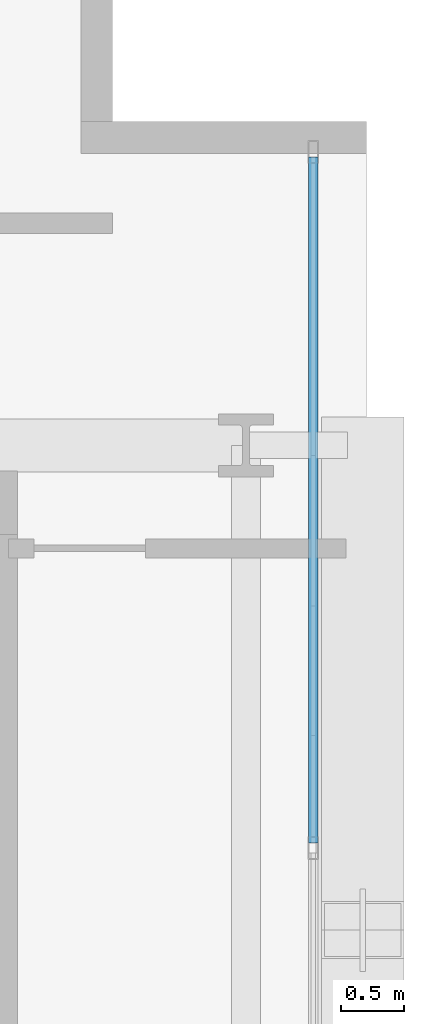
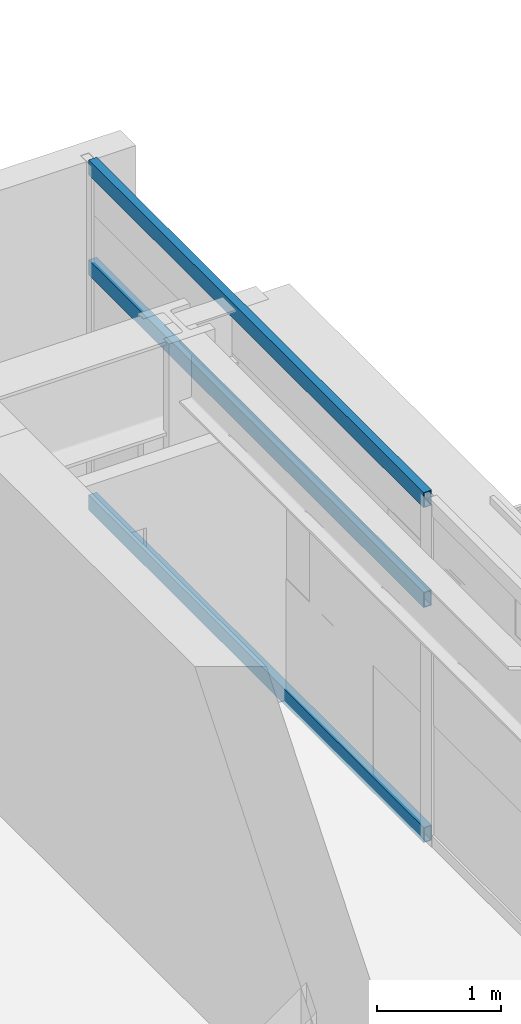
# One storey, part 15 of 31: 3 members, 1 element without a shape of its own.
"""IFC4 building model written with IfcOpenShell, lengths in metres."""

import ifcopenshell
import ifcopenshell.guid

model = None  # the IFC model being written
_history = None  # IfcOwnerHistory: only IFC2X3 demands one
_inside = {}  # id of a spatial element -> (the spatial element, [elements in it])
_under = {}  # id of a project, library or spatial element -> (it, [spatial elements below it])
_declared = {}  # id of a project -> (the project, [libraries it declares])
_typed = {}  # id of a type object -> (the type object, [elements of that type])
_made_of = {}  # id of a material, layer set ... -> (it, [elements and type objects made of it])


def new_model(schema):
    """Start an empty IFC model of exactly this schema.

    Asked for "IFC4X3", IfcOpenShell would pick the latest addendum, in which some entities
    have other attributes; the version numbers below select the first issue.
    IFC2X3 requires an IfcOwnerHistory on every rooted entity: one is made here for all.
    """
    global model, _history
    if schema == "IFC4X3":
        model = ifcopenshell.file(schema_version=(4, 3, 0, 0))
    else:
        model = ifcopenshell.file(schema=schema)
    _inside.clear()
    _under.clear()
    _declared.clear()
    _typed.clear()
    _made_of.clear()
    _history = None
    if model.schema == "IFC2X3":
        org = make("IfcOrganization", Name="unknown")
        user = make(
            "IfcPersonAndOrganization",
            ThePerson=make("IfcPerson", FamilyName="unknown"),
            TheOrganization=org,
        )
        app = make(
            "IfcApplication",
            ApplicationDeveloper=org,
            Version="unknown",
            ApplicationFullName="unknown",
            ApplicationIdentifier="unknown",
        )
        _history = make(
            "IfcOwnerHistory",
            OwningUser=user,
            OwningApplication=app,
            ChangeAction="ADDED",
            CreationDate=0,
        )
    return model


def make(cls, **values):
    """One entity of the class cls with the attributes given. An attribute that is None is left unset."""
    return model.create_entity(
        cls, **{name: value for name, value in values.items() if value is not None}
    )


def rooted(cls, **values):
    """An entity with a GlobalId (a new one), such as an element, a storey or a relation."""
    return make(cls, GlobalId=ifcopenshell.guid.new(), OwnerHistory=_history, **values)


def si_unit(unit_type, name, prefix=None):
    """IfcSIUnit, for example si_unit("LENGTHUNIT", "METRE", prefix="MILLI")."""
    return make("IfcSIUnit", UnitType=unit_type, Prefix=prefix, Name=name)


def assignment(units):
    """IfcUnitAssignment: the units of a project."""
    return None if units is None else make("IfcUnitAssignment", Units=units)


def point(xyz):
    """IfcCartesianPoint."""
    return None if xyz is None else make("IfcCartesianPoint", Coordinates=xyz)


def direction(xyz):
    """IfcDirection."""
    return None if xyz is None else make("IfcDirection", DirectionRatios=xyz)


def frame(location, z_axis=None, x_axis=None):
    """IfcAxis2Placement3D, a coordinate frame: its origin and axes. An axis left out is left unset."""
    return make(
        "IfcAxis2Placement3D",
        Location=point(location),
        Axis=direction(z_axis),
        RefDirection=direction(x_axis),
    )


def frame_2d(location, x_axis=None):
    """IfcAxis2Placement2D, a coordinate frame in the plane: its origin and x axis."""
    return make(
        "IfcAxis2Placement2D", Location=point(location), RefDirection=direction(x_axis)
    )


def origin():
    """The frame at (0, 0, 0) with its axes left unset."""
    return frame((0.0, 0.0, 0.0))


def origin_2d():
    """The frame at (0, 0) in the plane with its x axis left unset."""
    return frame_2d((0.0, 0.0))


def place(relative_to, where):
    """IfcLocalPlacement: puts the frame where relative to a parent placement (None: the world)."""
    return make(
        "IfcLocalPlacement", PlacementRelTo=relative_to, RelativePlacement=where
    )


def context(
    kind, dimensions, precision=None, world=None, true_north=None, identifier=None
):
    """IfcGeometricRepresentationContext, for example the 3D "Model" context."""
    return make(
        "IfcGeometricRepresentationContext",
        ContextIdentifier=identifier,
        ContextType=kind,
        CoordinateSpaceDimension=dimensions,
        Precision=precision,
        WorldCoordinateSystem=world,
        TrueNorth=true_north,
    )


def subcontext(parent, identifier, kind, view, scale=None):
    """IfcGeometricRepresentationSubContext, for example "Body" below "Model"."""
    return make(
        "IfcGeometricRepresentationSubContext",
        ContextIdentifier=identifier,
        ContextType=kind,
        ParentContext=parent,
        TargetScale=scale,
        TargetView=view,
    )


def project(units=None, contexts=None):
    """IfcProject with its units and contexts."""
    return rooted(
        "IfcProject",
        Name="project",
        RepresentationContexts=contexts,
        UnitsInContext=assignment(units),
    )


def spatial(cls, under=None, at=None, **own):
    """A site, building, storey or space (cls), placed at a placement, below another one or the project."""
    s = rooted(cls, ObjectPlacement=at, **own)
    if under is not None:
        _under.setdefault(under.id(), (under, []))[1].append(s)
    return s


def profile(cls, at=None, kind="AREA", **sizes):
    """A parametric profile (cls). Its sizes go by their IFC names, for example OverallWidth=200.0."""
    return make(cls, ProfileType=kind, Position=at, **sizes)


def hollow_rectangle(**sizes):
    """IfcRectangleHollowProfileDef."""
    return profile("IfcRectangleHollowProfileDef", **sizes)


def extrude(swept, where, along, depth):
    """IfcExtrudedAreaSolid: the profile swept, set in the frame where, extruded along a direction by depth."""
    return make(
        "IfcExtrudedAreaSolid",
        SweptArea=swept,
        Position=where,
        ExtrudedDirection=direction(along),
        Depth=depth,
    )


def shape(context_of_items, identifier, shape_type, items):
    """IfcShapeRepresentation: the items that make up one representation, for example the "Body"."""
    return make(
        "IfcShapeRepresentation",
        ContextOfItems=context_of_items,
        RepresentationIdentifier=identifier,
        RepresentationType=shape_type,
        Items=items,
    )


def source(mapping_origin, context_of_items, identifier, shape_type, items):
    """IfcRepresentationMap: a shape defined once, which mapped items show again and again."""
    return make(
        "IfcRepresentationMap",
        MappingOrigin=mapping_origin,
        MappedRepresentation=shape(context_of_items, identifier, shape_type, items),
    )


def transform(
    local_origin,
    x_axis=None,
    y_axis=None,
    z_axis=None,
    scale=None,
    scale2=None,
    scale3=None,
    uniform=True,
):
    """IfcCartesianTransformationOperator3D, or its non-uniform kind. x_axis, y_axis, z_axis: its Axis1, 2, 3."""
    if uniform:
        return make(
            "IfcCartesianTransformationOperator3D",
            Axis1=direction(x_axis),
            Axis2=direction(y_axis),
            LocalOrigin=point(local_origin),
            Scale=scale,
            Axis3=direction(z_axis),
        )
    return make(
        "IfcCartesianTransformationOperator3DnonUniform",
        Axis1=direction(x_axis),
        Axis2=direction(y_axis),
        LocalOrigin=point(local_origin),
        Scale=scale,
        Axis3=direction(z_axis),
        Scale2=scale2,
        Scale3=scale3,
    )


def mapped(mapping_source, mapping_target):
    """IfcMappedItem: shows the shape of a source again, moved by a transform."""
    return make(
        "IfcMappedItem", MappingSource=mapping_source, MappingTarget=mapping_target
    )


def material(Name=None, Category=None):
    """IfcMaterial."""
    return make("IfcMaterial", Name=Name, Category=Category)


def layer(
    of_material, thickness, ventilated=None, Name=None, Category=None, Priority=None
):
    """IfcMaterialLayer: one layer of a wall or slab, of a material (None: an air gap)."""
    return make(
        "IfcMaterialLayer",
        Material=of_material,
        LayerThickness=thickness,
        IsVentilated=ventilated,
        Name=Name,
        Category=Category,
        Priority=Priority,
    )


def layer_set(layers, Name=None):
    """IfcMaterialLayerSet."""
    return make("IfcMaterialLayerSet", MaterialLayers=layers, LayerSetName=Name)


def material_profile(
    of_material, cross_section, Name=None, Category=None, Priority=None
):
    """IfcMaterialProfile: a cross section and its material."""
    return make(
        "IfcMaterialProfile",
        Name=Name,
        Material=of_material,
        Profile=cross_section,
        Priority=Priority,
        Category=Category,
    )


def profile_set(profiles, Name=None, composite=None):
    """IfcMaterialProfileSet."""
    return make(
        "IfcMaterialProfileSet",
        Name=Name,
        MaterialProfiles=profiles,
        CompositeProfile=composite,
    )


def made_of(thing, what):
    """Note that an element or type object is made of a material, layer set ...; save() writes the relation."""
    if what is not None:
        _made_of.setdefault(what.id(), (what, []))[1].append(thing)
    return thing


def type_object(cls, material=None, **own):
    """A type object (cls), such as IfcWallType, which elements share."""
    return made_of(rooted(cls, **own), material)


def element(
    cls,
    number,
    at=None,
    inside=None,
    cuts=None,
    type_object=None,
    material=None,
    context=None,
    identifier="Body",
    shape_type=None,
    held_by="IfcProductDefinitionShape",
    body=None,
    shapes=None,
    **own,
):
    """One element of the class cls, such as IfcWall. Its Tag is "e" and its number.

    at: its placement. inside: the storey or other place that contains it. cuts: it is an
    opening in that element (IfcRelVoidsElement). A single representation is given by context,
    identifier, shape_type and body (its items); several are given by shapes. held_by: the class
    of the entity that holds the representations. save() writes the other relations.
    """
    e = rooted(cls, Tag="e%d" % number, ObjectPlacement=at, **own)
    if body is not None:
        shapes = [shape(context, identifier, shape_type, body)]
    if shapes is not None:
        e.Representation = make(held_by, Representations=shapes)
    if inside is not None:
        _inside.setdefault(inside.id(), (inside, []))[1].append(e)
    if cuts is not None:
        rooted(
            "IfcRelVoidsElement", RelatingBuildingElement=cuts, RelatedOpeningElement=e
        )
    if type_object is not None:
        _typed.setdefault(type_object.id(), (type_object, []))[1].append(e)
    return made_of(e, material)


def aggregate(whole, parts):
    """IfcRelAggregates: a whole, such as a stair, and the parts it consists of."""
    return rooted("IfcRelAggregates", RelatingObject=whole, RelatedObjects=parts)


def save(model, path):
    """Write the relations noted so far, then the file.

    IfcRelAggregates (storeys below a building ...), IfcRelContainedInSpatialStructure (elements
    in a storey), IfcRelDefinesByType, IfcRelAssociatesMaterial and IfcRelDeclares: one each for
    every whole, place, type object, material and project.
    """
    for whole, parts in _under.values():
        aggregate(whole, parts)
    for where, things in _inside.values():
        rooted(
            "IfcRelContainedInSpatialStructure",
            RelatedElements=things,
            RelatingStructure=where,
        )
    for kind, things in _typed.values():
        rooted("IfcRelDefinesByType", RelatedObjects=things, RelatingType=kind)
    for what, things in _made_of.values():
        rooted("IfcRelAssociatesMaterial", RelatedObjects=things, RelatingMaterial=what)
    for by, libraries in _declared.values():
        rooted("IfcRelDeclares", RelatingContext=by, RelatedDefinitions=libraries)
    model.write(path)


model = new_model("IFC4")

# Units and contexts
model_context = context("Model", 3, precision=1e-05, world=origin(), true_north=direction((0.0, 1.0)))
body_context = subcontext(model_context, "Body", "Model", "MODEL_VIEW")
ifc_project = project(units=[si_unit("LENGTHUNIT", "METRE"), si_unit("AREAUNIT", "SQUARE_METRE"), si_unit("VOLUMEUNIT", "CUBIC_METRE"), si_unit("PLANEANGLEUNIT", "RADIAN"), si_unit("MASSUNIT", "GRAM", prefix="KILO")], contexts=[model_context])

# Site, building, storey
site_placement = place(None, origin())
site = spatial("IfcSite", under=ifc_project, at=site_placement, CompositionType="ELEMENT")
building_placement = place(site_placement, origin())
building = spatial("IfcBuilding", under=site, at=building_placement, Name="Ocotamira Hotel", CompositionType="ELEMENT")
storey_placement = place(building_placement, frame((0.0, 0.0, 210.0)))
storey = spatial("IfcBuildingStorey", under=building, at=storey_placement, Name="L53", CompositionType="ELEMENT", Elevation=210.0)

# Curtain wall, members
ifc_material_1 = material(Name="Anodised pale-metal aluminium and solar glass", Category="aluminium")
ifc_layer = layer(ifc_material_1, 0.199951171875)
ifc_layer_set = layer_set([ifc_layer], Name="Anodised pale-metal aluminium and solar glass")
curtain_wall_type = type_object("IfcCurtainWallType", Name="CW-SYS4-Z3", PredefinedType="NOTDEFINED", material=ifc_layer_set)
curtain_wall_placement = place(storey_placement, origin())
curtain_wall = element("IfcCurtainWall", 1, at=curtain_wall_placement, inside=storey, type_object=curtain_wall_type, Name="L53 Curtain Wall CW-4 CW-L53-E", PredefinedType="NOTDEFINED")
ifc_material_2 = material(Name="Anodised pale-metal aluminium 6063-T6", Category="aluminium")
ifc_material_profile = material_profile(ifc_material_2, hollow_rectangle(XDim=0.074951171875, YDim=0.14990234375, WallThickness=0.006103515625, at=origin_2d()), Name="HSS150X75X6")
ifc_profile_set = profile_set([ifc_material_profile], Name="Anodised pale-metal aluminium 6063-T6")
member_type = type_object("IfcMemberType", Name="CWT-150X75", PredefinedType="USERDEFINED", material=ifc_profile_set)
shared_shape = source(origin(), body_context, "Body", "SweptSolid", [
    extrude(hollow_rectangle(XDim=0.074951171875, YDim=0.14990234375, WallThickness=0.006103515625, at=origin_2d()), origin(), (0.0, 0.0, 1.0), 5.39990234375),
])
member_1_placement = place(storey_placement, frame((55.580078125, 34.320068359375, 0.03759765625), z_axis=(0.0, 1.0, 0.0), x_axis=(-1.0, 0.0, 0.0)))
member_1 = element("IfcMember", 2, at=member_1_placement, type_object=member_type, Name="CW-4 transom 5.1", ObjectType="TRANSOM", PredefinedType="USERDEFINED", context=body_context, shape_type="MappedRepresentation", body=[
    mapped(shared_shape, transform((0.0, 0.0, 0.0), scale=1.0)),
])
member_2_placement = place(storey_placement, frame((55.580078125, 34.320068359375, 2.35009765625), z_axis=(0.0, 1.0, 0.0), x_axis=(-1.0, 0.0, 0.0)))
member_2 = element("IfcMember", 3, at=member_2_placement, type_object=member_type, Name="CW-4 transom 5.2", ObjectType="TRANSOM", PredefinedType="USERDEFINED", context=body_context, shape_type="MappedRepresentation", body=[
    mapped(shared_shape, transform((0.0, 0.0, 0.0), scale=1.0)),
])
member_3_placement = place(storey_placement, frame((55.580078125, 34.320068359375, 3.33251953125), z_axis=(0.0, 1.0, 0.0), x_axis=(-1.0, 0.0, 0.0)))
member_3 = element("IfcMember", 4, at=member_3_placement, type_object=member_type, Name="CW-4 transom 5.3", ObjectType="TRANSOM", PredefinedType="USERDEFINED", context=body_context, shape_type="MappedRepresentation", body=[
    mapped(shared_shape, transform((0.0, 0.0, 0.0), scale=1.0)),
])
aggregate(curtain_wall, [member_1, member_2, member_3])

save(model, "model.ifc")
